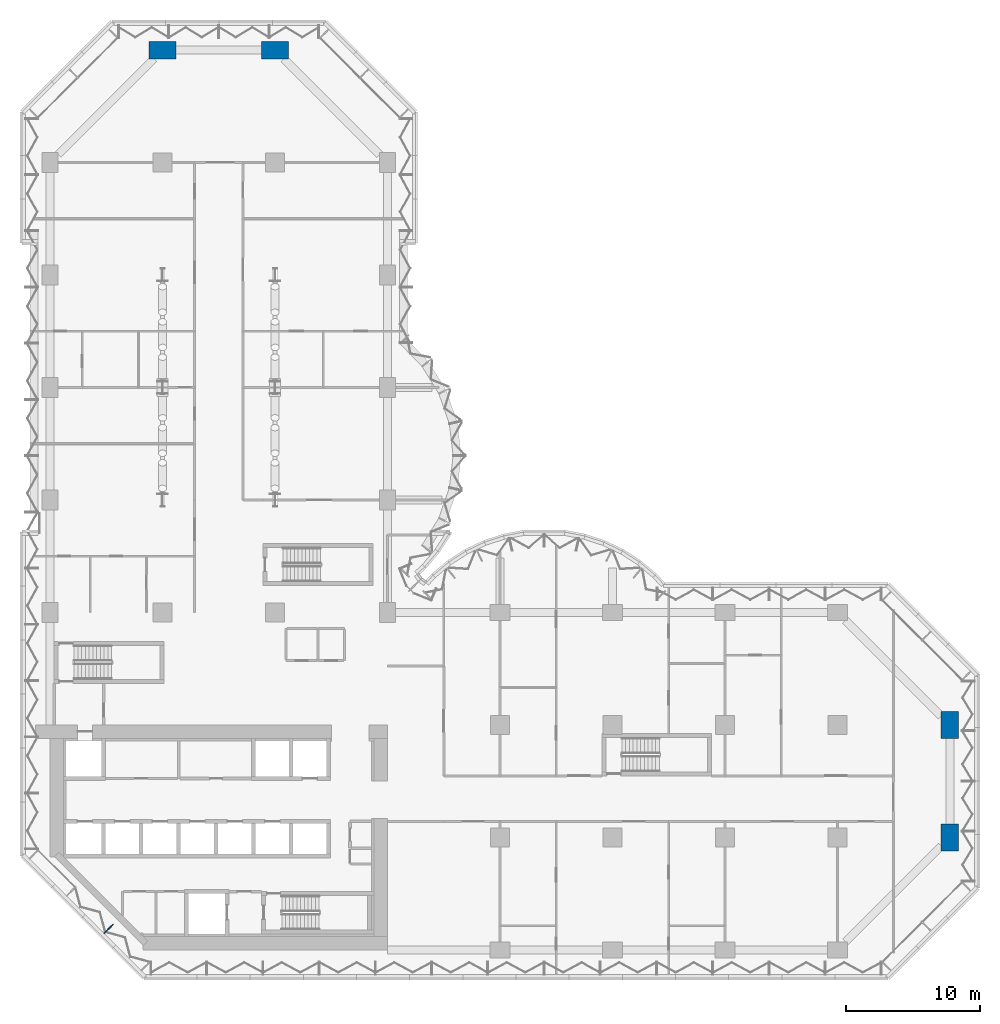
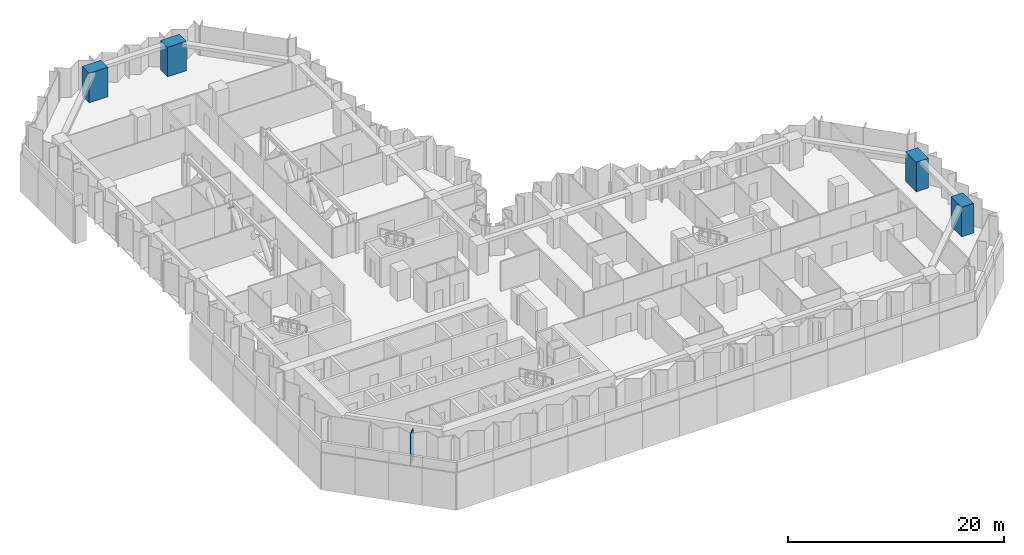
# One storey, part 2 of 24: 4 columns, 1 member, 1 element without a shape of its own.
"""IFC4 building model written with IfcOpenShell, lengths in metres."""

from ifc_helpers import new_model, si_unit, direction, frame, origin, origin_2d, place, context, subcontext, project, spatial, rectangle, extrude, material, material_profile, profile_set, type_object, element, aggregate, save


model = new_model("IFC4")

# Units and contexts
model_context = context("Model", 3, precision=1e-05, world=origin(), true_north=direction((0.0, 1.0)))
body_context = subcontext(model_context, "Body", "Model", "MODEL_VIEW")
ifc_project = project(units=[si_unit("LENGTHUNIT", "METRE"), si_unit("AREAUNIT", "SQUARE_METRE"), si_unit("VOLUMEUNIT", "CUBIC_METRE"), si_unit("PLANEANGLEUNIT", "RADIAN"), si_unit("MASSUNIT", "GRAM", prefix="KILO")], contexts=[model_context])

# Site, building, storey
site_placement = place(None, origin())
site = spatial("IfcSite", under=ifc_project, at=site_placement, CompositionType="ELEMENT")
building_placement = place(site_placement, origin())
building = spatial("IfcBuilding", under=site, at=building_placement, Name="Brevane Broadcast Tower", CompositionType="ELEMENT")
storey_placement = place(building_placement, frame((0.0, 0.0, 36.5)))
storey = spatial("IfcBuildingStorey", under=building, at=storey_placement, Name="L06", CompositionType="ELEMENT", Elevation=36.5)

# Columns
ifc_material_1 = material(Name="Concrete C80/95", Category="concrete")
ifc_material_profile_1 = material_profile(ifc_material_1, rectangle(XDim=1.300048828125, YDim=2.0, at=origin_2d()), Name="RC 1300x2000")
ifc_profile_set_1 = profile_set([ifc_material_profile_1], Name="Concrete C80/95")
column_type = type_object("IfcColumnType", Name="RC COLUMN WING-END 1300x2000 C80/95", PredefinedType="COLUMN", material=ifc_profile_set_1)
for number, where, z_axis, x_axis, name in (
    (1, (8.39990234375, 67.199951171875, 0.0), (0.0, 0.0, 1.0), (0.0, 1.0, 0.0), "CW7 2/I"),
    (2, (16.800048828125, 67.199951171875, 0.0), (0.0, 0.0, 1.0), (0.0, 1.0, 0.0), "CW7 3/I"),
    (3, (67.199951171875, 8.39990234375, 0.0), (0.0, 0.0, 1.0), (1.0, 0.0, 0.0), "CW7 9/B"),
    (4, (67.199951171875, 16.800048828125, 0.0), (0.0, 0.0, 1.0), (1.0, 0.0, 0.0), "CW7 9/C"),
):
    element("IfcColumn", number, at=place(storey_placement, frame(where, z_axis=z_axis, x_axis=x_axis)), inside=storey, type_object=column_type, Name=name, PredefinedType="COLUMN", context=body_context, shape_type="SweptSolid", body=[
        extrude(rectangle(XDim=1.300048828125, YDim=2.0, at=origin_2d()), origin(), (0.0, 0.0, 1.0), 3.35009765625),
    ])

# Curtain wall, member
ifc_material_2 = material(Name="Aluminium 6063-T6 bronze anodised", Category="aluminium")
curtain_wall_type = type_object("IfcCurtainWallType", Name="CW-1 curtain wall", PredefinedType="NOTDEFINED", material=ifc_material_2)
curtain_wall_placement = place(storey_placement, origin())
curtain_wall = element("IfcCurtainWall", 5, at=curtain_wall_placement, inside=storey, type_object=curtain_wall_type, Name="CW-1 typical tilted unit L06 south-west chamfer", PredefinedType="NOTDEFINED")
ifc_material_profile_2 = material_profile(ifc_material_2, rectangle(XDim=0.949951171875, YDim=0.070068359375, at=origin_2d()), Name="RECT 70x950")
ifc_profile_set_2 = profile_set([ifc_material_profile_2], Name="Aluminium 6063-T6 bronze anodised")
member_type = type_object("IfcMemberType", Name="CW-1 mullion 70x950", PredefinedType="MULLION", material=ifc_profile_set_2)
member_placement = place(storey_placement, frame((4.364013671875, 1.564208984375, -0.14990234375), z_axis=(0.0, 0.0, 1.0), x_axis=(0.707106781187, 0.707106781187, 0.0)))
member = element("IfcMember", 6, at=member_placement, type_object=member_type, Name="CW-1 mullion", PredefinedType="MULLION", context=body_context, shape_type="SweptSolid", body=[
    extrude(rectangle(XDim=0.949951171875, YDim=0.070068359375, at=origin_2d()), origin(), (0.0, 0.0, 1.0), 3.5),
])
aggregate(curtain_wall, [member])

save(model, "model.ifc")
